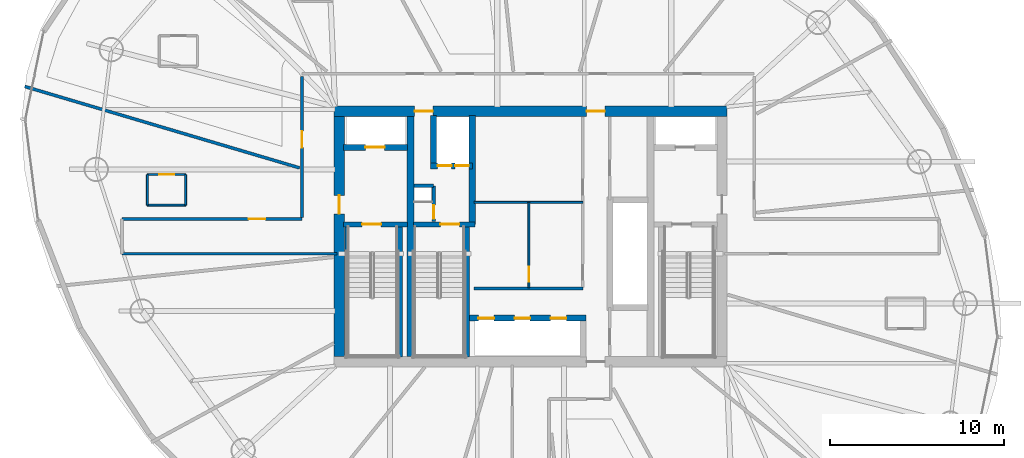
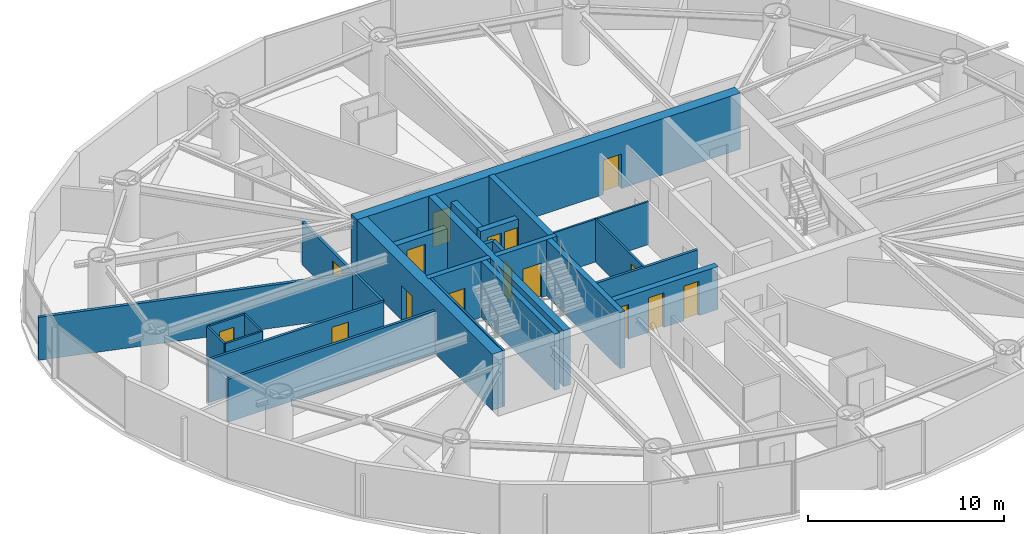
# One storey, part 20 of 26: 26 walls, 16 doors, 16 openings.
"""IFC4 building model written with IfcOpenShell, lengths in metres."""

from ifc_helpers import new_model, si_unit, direction, frame, frame_2d, origin, place, context, subcontext, project, spatial, rectangle, extrude, material, layer, layer_set, type_object, element, fill, save


model = new_model("IFC4")

# Units and contexts
model_context = context("Model", 3, precision=1e-05, world=origin(), true_north=direction((0.0, 1.0)))
body_context = subcontext(model_context, "Body", "Model", "MODEL_VIEW")
ifc_project = project(units=[si_unit("LENGTHUNIT", "METRE"), si_unit("AREAUNIT", "SQUARE_METRE"), si_unit("VOLUMEUNIT", "CUBIC_METRE"), si_unit("PLANEANGLEUNIT", "RADIAN"), si_unit("MASSUNIT", "GRAM", prefix="KILO")], contexts=[model_context])

# Site, building, storey
site_placement = place(None, origin())
site = spatial("IfcSite", under=ifc_project, at=site_placement, CompositionType="ELEMENT")
building_placement = place(site_placement, origin())
building = spatial("IfcBuilding", under=site, at=building_placement, Name="Bramvorn Convention Spire", CompositionType="ELEMENT")
storey_placement = place(building_placement, frame((0.0, 0.0, 123.800048828125)))
storey = spatial("IfcBuildingStorey", under=building, at=storey_placement, Name="L30", CompositionType="ELEMENT", Elevation=123.800048828125)

# Wall, openings, doors
ifc_material_1 = material(Name="Concrete C60/70", Category="concrete")
ifc_layer_1 = layer(ifc_material_1, 0.60009765625)
ifc_layer_set_1 = layer_set([ifc_layer_1], Name="Concrete C60/70 - WL-CORE-600")
wall_type_1 = type_object("IfcWallType", Name="WL-CORE-600", PredefinedType="SHEAR", material=ifc_layer_set_1)
wall_1_placement = place(storey_placement, frame((26.699951171875, 33.199951171875, 0.0), z_axis=(0.0, 0.0, 1.0), x_axis=(1.0, 0.0, 0.0)))
wall_1 = element("IfcWall", 1, at=wall_1_placement, inside=storey, type_object=wall_type_1, Name="L30 North RC core shear wall", PredefinedType="SHEAR", context=body_context, shape_type="SweptSolid", body=[
    extrude(rectangle(XDim=22.60009765625, YDim=0.60009765625, at=frame_2d((11.300048828125, 0.0))), origin(), (0.0, 0.0, 1.0), 3.5),
])
opening_1_placement = place(wall_1_placement, frame((4.6201171875, 0.0, 0.0)))
opening_1 = element("IfcOpeningElement", 2, at=opening_1_placement, cuts=wall_1, Name="Opening DL-105", PredefinedType="OPENING", context=body_context, shape_type="SweptSolid", body=[
    extrude(rectangle(XDim=1.050048828125, YDim=2.14990234375, at=frame_2d((0.52490234375, 1.074951171875))), frame((0.0, 0.31005859375, 0.0), z_axis=(0.0, -1.0, 0.0), x_axis=(1.0, 0.0, 0.0)), (0.0, 0.0, 1.0), 0.6201171875),
])
opening_2_placement = place(wall_1_placement, frame((14.52001953125, 0.0, 0.0)))
opening_2 = element("IfcOpeningElement", 3, at=opening_2_placement, cuts=wall_1, Name="Opening DL-105", PredefinedType="OPENING", context=body_context, shape_type="SweptSolid", body=[
    extrude(rectangle(XDim=1.050048828125, YDim=2.14990234375, at=frame_2d((0.52490234375, 1.074951171875))), frame((0.0, 0.31005859375, 0.0), z_axis=(0.0, -1.0, 0.0), x_axis=(1.0, 0.0, 0.0)), (0.0, 0.0, 1.0), 0.6201171875),
])
ifc_material_2 = material(Name="Smoke-Sealed Fire Lobby Timber-Core Door", Category="wood")
door_type_1 = type_object("IfcDoorType", Name="DR-LOBBY-1050", OperationType="NOTDEFINED", PredefinedType="DOOR", material=ifc_material_2)
door_1_placement = place(opening_1_placement, origin())
door_1 = element("IfcDoor", 4, at=door_1_placement, inside=storey, type_object=door_type_1, Name="L30 Service & Stair ST3 Lobby north corridor door", OperationType="SINGLE_SWING_LEFT", OverallHeight=2.14990234375, OverallWidth=1.050048828125, PredefinedType="DOOR", context=body_context, shape_type="SweptSolid", body=[
    extrude(rectangle(XDim=1.050048828125, YDim=2.14990234375, at=frame_2d((0.52490234375, 1.074951171875))), frame((0.0, 0.02490234375, 0.0), z_axis=(0.0, -1.0, 0.0), x_axis=(1.0, 0.0, 0.0)), (0.0, 0.0, 1.0), 0.050048828125),
])
fill(opening_1, door_1)
door_2_placement = place(opening_2_placement, origin())
door_2 = element("IfcDoor", 5, at=door_2_placement, inside=storey, type_object=door_type_1, Name="L30 North Lift Lobby fire door", OperationType="SINGLE_SWING_LEFT", OverallHeight=2.14990234375, OverallWidth=1.050048828125, PredefinedType="DOOR", context=body_context, shape_type="SweptSolid", body=[
    extrude(rectangle(XDim=1.050048828125, YDim=2.14990234375, at=frame_2d((0.52490234375, 1.074951171875))), frame((0.0, 0.02490234375, 0.0), z_axis=(0.0, -1.0, 0.0), x_axis=(1.0, 0.0, 0.0)), (0.0, 0.0, 1.0), 0.050048828125),
])
fill(opening_2, door_2)

# Wall, opening, door
wall_2_placement = place(storey_placement, frame((27.0, 19.10009765625, 0.0), z_axis=(0.0, 0.0, 1.0), x_axis=(0.0, 1.0, 0.0)))
wall_2 = element("IfcWall", 6, at=wall_2_placement, inside=storey, type_object=wall_type_1, Name="L30 West RC core shear wall", PredefinedType="SHEAR", context=body_context, shape_type="SweptSolid", body=[
    extrude(rectangle(XDim=13.7998046875, YDim=0.60009765625, at=frame_2d((6.89990234375, 0.0))), origin(), (0.0, 0.0, 1.0), 3.5),
])
opening_3_placement = place(wall_2_placement, frame((8.199951171875, 0.0, 0.0)))
opening_3 = element("IfcOpeningElement", 7, at=opening_3_placement, cuts=wall_2, Name="Opening DL-105", PredefinedType="OPENING", context=body_context, shape_type="SweptSolid", body=[
    extrude(rectangle(XDim=1.050048828125, YDim=2.14990234375, at=frame_2d((0.52490234375, 1.074951171875))), frame((0.0, 0.31005859375, 0.0), z_axis=(0.0, -1.0, 0.0), x_axis=(1.0, 0.0, 0.0)), (0.0, 0.0, 1.0), 0.6201171875),
])
door_3_placement = place(opening_3_placement, origin())
door_3 = element("IfcDoor", 8, at=door_3_placement, inside=storey, type_object=door_type_1, Name="L30 West Firefighting Lobby corridor door", OperationType="SINGLE_SWING_RIGHT", OverallHeight=2.14990234375, OverallWidth=1.050048828125, PredefinedType="DOOR", context=body_context, shape_type="SweptSolid", body=[
    extrude(rectangle(XDim=1.050048828125, YDim=2.14990234375, at=frame_2d((0.52490234375, 1.074951171875))), frame((0.0, 0.02490234375, 0.0), z_axis=(0.0, -1.0, 0.0), x_axis=(1.0, 0.0, 0.0)), (0.0, 0.0, 1.0), 0.050048828125),
])
fill(opening_3, door_3)

ifc_material_3 = material(Name="Concrete C50/60", Category="concrete")
ifc_layer_2 = layer(ifc_material_3, 0.35009765625)
ifc_layer_set_2 = layer_set([ifc_layer_2], Name="Concrete C50/60 - WL-CORE-INT-350")
wall_type_2 = type_object("IfcWallType", Name="WL-CORE-INT-350", PredefinedType="SHEAR", material=ifc_layer_set_2)
wall_3_placement = place(storey_placement, frame((27.25, 31.1201171875, 0.0), z_axis=(0.0, 0.0, 1.0), x_axis=(1.0, 0.0, 0.0)))
wall_3 = element("IfcWall", 9, at=wall_3_placement, inside=storey, type_object=wall_type_2, Name="L30 FE1 shaft front wall", PredefinedType="SHEAR", context=body_context, shape_type="SweptSolid", body=[
    extrude(rectangle(XDim=3.669921875, YDim=0.35009765625, at=frame_2d((1.8349609375, 0.0))), origin(), (0.0, 0.0, 1.0), 2.675048828125),
])
opening_4_placement = place(wall_3_placement, frame((1.25, 0.0, 0.0)))
opening_4 = element("IfcOpeningElement", 10, at=opening_4_placement, cuts=wall_3, Name="Opening LD-110", PredefinedType="OPENING", context=body_context, shape_type="SweptSolid", body=[
    extrude(rectangle(XDim=1.10009765625, YDim=2.14990234375, at=frame_2d((0.550048828125, 1.074951171875))), frame((0.0, 0.18505859375, 0.0), z_axis=(0.0, -1.0, 0.0), x_axis=(1.0, 0.0, 0.0)), (0.0, 0.0, 1.0), 0.3701171875),
])
ifc_material_4 = material(Name="Firefighting & Service Lift Sliding Landing Door", Category="steel")
door_type_2 = type_object("IfcDoorType", Name="DR-LIFT-LD-1100", OperationType="NOTDEFINED", PredefinedType="DOOR", material=ifc_material_4)
door_4_placement = place(opening_4_placement, origin())
door_4 = element("IfcDoor", 11, at=door_4_placement, inside=storey, type_object=door_type_2, Name="L30 Lift FE1 Sliding Landing Door", OperationType="SLIDING_TO_LEFT", OverallHeight=2.14990234375, OverallWidth=1.10009765625, PredefinedType="DOOR", context=body_context, shape_type="SweptSolid", body=[
    extrude(rectangle(XDim=1.10009765625, YDim=2.14990234375, at=frame_2d((0.550048828125, 1.074951171875))), frame((0.0, 0.02490234375, 0.0), z_axis=(0.0, -1.0, 0.0), x_axis=(1.0, 0.0, 0.0)), (0.0, 0.0, 1.0), 0.050048828125),
])
fill(opening_4, door_4)

# Wall
wall_4_placement = place(storey_placement, frame((34.639892578125, 26.68994140625, 0.0), z_axis=(0.0, 0.0, 1.0), x_axis=(0.0, 1.0, 0.0)))
element("IfcWall", 12, at=wall_4_placement, inside=storey, type_object=wall_type_2, Name="L30 SV east core shaft wall", PredefinedType="SHEAR", context=body_context, shape_type="SweptSolid", body=[
    extrude(rectangle(XDim=6.260009765625, YDim=0.35009765625, at=frame_2d((3.1298828125, 0.0))), origin(), (0.0, 0.0, 1.0), 3.5),
])

# Wall, openings, doors
wall_5_placement = place(storey_placement, frame((32.22998046875, 30.050048828125, 0.0), z_axis=(0.0, 0.0, 1.0), x_axis=(1.0, 0.0, 0.0)))
wall_5 = element("IfcWall", 13, at=wall_5_placement, inside=storey, type_object=wall_type_2, Name="L30 SV1/SV2 shaft front wall", PredefinedType="SHEAR", context=body_context, shape_type="SweptSolid", body=[
    extrude(rectangle(XDim=2.409912109375, YDim=0.35009765625, at=frame_2d((1.205078125, 0.0))), origin(), (0.0, 0.0, 1.0), 2.675048828125),
])
opening_5_placement = place(wall_5_placement, frame((0.419921875, 0.0, 0.0)))
opening_5 = element("IfcOpeningElement", 14, at=opening_5_placement, cuts=wall_5, Name="Opening LD-080", PredefinedType="OPENING", context=body_context, shape_type="SweptSolid", body=[
    extrude(rectangle(XDim=0.800048828125, YDim=2.14990234375, at=frame_2d((0.39990234375, 1.074951171875))), frame((0.0, 0.18505859375, 0.0), z_axis=(0.0, -1.0, 0.0), x_axis=(1.0, 0.0, 0.0)), (0.0, 0.0, 1.0), 0.3701171875),
])
opening_6_placement = place(wall_5_placement, frame((1.419921875, 0.0, 0.0)))
opening_6 = element("IfcOpeningElement", 15, at=opening_6_placement, cuts=wall_5, Name="Opening LD-080", PredefinedType="OPENING", context=body_context, shape_type="SweptSolid", body=[
    extrude(rectangle(XDim=0.800048828125, YDim=2.14990234375, at=frame_2d((0.39990234375, 1.074951171875))), frame((0.0, 0.18505859375, 0.0), z_axis=(0.0, -1.0, 0.0), x_axis=(1.0, 0.0, 0.0)), (0.0, 0.0, 1.0), 0.3701171875),
])
ifc_material_5 = material(Name="Service Lift Bi-Parting Landing Door", Category="steel")
door_type_3 = type_object("IfcDoorType", Name="DR-LIFT-LD-800", OperationType="NOTDEFINED", PredefinedType="DOOR", material=ifc_material_5)
door_5_placement = place(opening_5_placement, origin())
door_5 = element("IfcDoor", 16, at=door_5_placement, inside=storey, type_object=door_type_3, Name="L30 Lift SV1 Sliding Landing Door", OperationType="SLIDING_TO_LEFT", OverallHeight=2.14990234375, OverallWidth=0.800048828125, PredefinedType="DOOR", context=body_context, shape_type="SweptSolid", body=[
    extrude(rectangle(XDim=0.800048828125, YDim=2.14990234375, at=frame_2d((0.39990234375, 1.074951171875))), frame((0.0, 0.02490234375, 0.0), z_axis=(0.0, -1.0, 0.0), x_axis=(1.0, 0.0, 0.0)), (0.0, 0.0, 1.0), 0.050048828125),
])
fill(opening_5, door_5)
door_6_placement = place(opening_6_placement, origin())
door_6 = element("IfcDoor", 17, at=door_6_placement, inside=storey, type_object=door_type_3, Name="L30 Lift SV2 Sliding Landing Door", OperationType="SLIDING_TO_LEFT", OverallHeight=2.14990234375, OverallWidth=0.800048828125, PredefinedType="DOOR", context=body_context, shape_type="SweptSolid", body=[
    extrude(rectangle(XDim=0.800048828125, YDim=2.14990234375, at=frame_2d((0.39990234375, 1.074951171875))), frame((0.0, 0.02490234375, 0.0), z_axis=(0.0, -1.0, 0.0), x_axis=(1.0, 0.0, 0.0)), (0.0, 0.0, 1.0), 0.050048828125),
])
fill(opening_6, door_6)

# Wall
wall_6_placement = place(storey_placement, frame((32.39990234375, 30.219970703125, 0.0), z_axis=(0.0, 0.0, 1.0), x_axis=(0.0, 1.0, 0.0)))
element("IfcWall", 18, at=wall_6_placement, inside=storey, type_object=wall_type_2, Name="L30 SV1 west hoistway wall", PredefinedType="SHEAR", context=body_context, shape_type="SweptSolid", body=[
    extrude(rectangle(XDim=2.72998046875, YDim=0.35009765625, at=frame_2d((1.364990234375, 0.0))), origin(), (0.0, 0.0, 1.0), 2.675048828125),
])

# Wall, openings, doors
wall_7_placement = place(storey_placement, frame((34.489990234375, 21.300048828125, 0.0), z_axis=(0.0, 0.0, 1.0), x_axis=(1.0, 0.0, 0.0)))
wall_7 = element("IfcWall", 19, at=wall_7_placement, inside=storey, type_object=wall_type_2, Name="L30 Mid-rise bank north landing wall", PredefinedType="SHEAR", context=body_context, shape_type="SweptSolid", body=[
    extrude(rectangle(XDim=6.679931640625, YDim=0.35009765625, at=frame_2d((3.33984375, 0.0))), origin(), (0.0, 0.0, 1.0), 2.675048828125),
])
opening_7_placement = place(wall_7_placement, frame((0.5, 0.0, 0.0)))
opening_7 = element("IfcOpeningElement", 20, at=opening_7_placement, cuts=wall_7, Name="Opening LD-090", PredefinedType="OPENING", context=body_context, shape_type="SweptSolid", body=[
    extrude(rectangle(XDim=0.89990234375, YDim=2.14990234375, at=frame_2d((0.449951171875, 1.074951171875))), frame((0.0, 0.18505859375, 0.0), z_axis=(0.0, -1.0, 0.0), x_axis=(1.0, 0.0, 0.0)), (0.0, 0.0, 1.0), 0.3701171875),
])
opening_8_placement = place(wall_7_placement, frame((2.580078125, 0.0, 0.0)))
opening_8 = element("IfcOpeningElement", 21, at=opening_8_placement, cuts=wall_7, Name="Opening LD-090", PredefinedType="OPENING", context=body_context, shape_type="SweptSolid", body=[
    extrude(rectangle(XDim=0.89990234375, YDim=2.14990234375, at=frame_2d((0.449951171875, 1.074951171875))), frame((0.0, 0.18505859375, 0.0), z_axis=(0.0, -1.0, 0.0), x_axis=(1.0, 0.0, 0.0)), (0.0, 0.0, 1.0), 0.3701171875),
])
opening_9_placement = place(wall_7_placement, frame((4.659912109375, 0.0, 0.0)))
opening_9 = element("IfcOpeningElement", 22, at=opening_9_placement, cuts=wall_7, Name="Opening LD-090", PredefinedType="OPENING", context=body_context, shape_type="SweptSolid", body=[
    extrude(rectangle(XDim=0.89990234375, YDim=2.14990234375, at=frame_2d((0.449951171875, 1.074951171875))), frame((0.0, 0.18505859375, 0.0), z_axis=(0.0, -1.0, 0.0), x_axis=(1.0, 0.0, 0.0)), (0.0, 0.0, 1.0), 0.3701171875),
])
ifc_material_6 = material(Name="Bi-Parting Fire-Rated Lift Landing Door", Category="steel")
door_type_4 = type_object("IfcDoorType", Name="DR-LIFT-LD-900", OperationType="NOTDEFINED", PredefinedType="DOOR", material=ifc_material_6)
door_7_placement = place(opening_7_placement, origin())
door_7 = element("IfcDoor", 23, at=door_7_placement, inside=storey, type_object=door_type_4, Name="L30 Lift PM1 Sliding Landing Door", OperationType="SLIDING_TO_LEFT", OverallHeight=2.14990234375, OverallWidth=0.89990234375, PredefinedType="DOOR", context=body_context, shape_type="SweptSolid", body=[
    extrude(rectangle(XDim=0.89990234375, YDim=2.14990234375, at=frame_2d((0.449951171875, 1.074951171875))), frame((0.0, 0.02490234375, 0.0), z_axis=(0.0, -1.0, 0.0), x_axis=(1.0, 0.0, 0.0)), (0.0, 0.0, 1.0), 0.050048828125),
])
fill(opening_7, door_7)
door_8_placement = place(opening_8_placement, origin())
door_8 = element("IfcDoor", 24, at=door_8_placement, inside=storey, type_object=door_type_4, Name="L30 Lift PM2 Sliding Landing Door", OperationType="SLIDING_TO_LEFT", OverallHeight=2.14990234375, OverallWidth=0.89990234375, PredefinedType="DOOR", context=body_context, shape_type="SweptSolid", body=[
    extrude(rectangle(XDim=0.89990234375, YDim=2.14990234375, at=frame_2d((0.449951171875, 1.074951171875))), frame((0.0, 0.02490234375, 0.0), z_axis=(0.0, -1.0, 0.0), x_axis=(1.0, 0.0, 0.0)), (0.0, 0.0, 1.0), 0.050048828125),
])
fill(opening_8, door_8)
door_9_placement = place(opening_9_placement, origin())
door_9 = element("IfcDoor", 25, at=door_9_placement, inside=storey, type_object=door_type_4, Name="L30 Lift PM3 Sliding Landing Door", OperationType="SLIDING_TO_LEFT", OverallHeight=2.14990234375, OverallWidth=0.89990234375, PredefinedType="DOOR", context=body_context, shape_type="SweptSolid", body=[
    extrude(rectangle(XDim=0.89990234375, YDim=2.14990234375, at=frame_2d((0.449951171875, 1.074951171875))), frame((0.0, 0.02490234375, 0.0), z_axis=(0.0, -1.0, 0.0), x_axis=(1.0, 0.0, 0.0)), (0.0, 0.0, 1.0), 0.050048828125),
])
fill(opening_9, door_9)

# Walls
ifc_layer_3 = layer(ifc_material_1, 0.39990234375)
ifc_layer_set_3 = layer_set([ifc_layer_3], Name="Concrete C60/70 - WL-CORE-INT-400")
wall_type_3 = type_object("IfcWallType", Name="WL-CORE-INT-400", PredefinedType="SHEAR", material=ifc_layer_set_3)
wall_8_placement = place(storey_placement, frame((31.10009765625, 19.10009765625, 0.0), z_axis=(0.0, 0.0, 1.0), x_axis=(0.0, 1.0, 0.0)))
element("IfcWall", 26, at=wall_8_placement, inside=storey, type_object=wall_type_3, Name="L30 West internal core shear web", PredefinedType="SHEAR", context=body_context, shape_type="SweptSolid", body=[
    extrude(rectangle(XDim=13.7998046875, YDim=0.39990234375, at=frame_2d((6.89990234375, 0.0))), origin(), (0.0, 0.0, 1.0), 3.5),
])
ifc_material_7 = material(Name="Lightweight En-Suite & Wet-Wall Partition", Category="gypsum")
ifc_layer_4 = layer(ifc_material_7, 0.110107421875)
ifc_layer_set_4 = layer_set([ifc_layer_4], Name="Lightweight En-Suite & Wet-Wall Partition - WL-PART-110")
wall_type_4 = type_object("IfcWallType", Name="WL-PART-110", PredefinedType="PARTITIONING", material=ifc_layer_set_4)
wall_9_placement = place(storey_placement, frame((34.75, 27.949951171875, 0.0), z_axis=(0.0, 0.0, 1.0), x_axis=(1.0, 0.0, 0.0)))
element("IfcWall", 27, at=wall_9_placement, inside=storey, type_object=wall_type_4, Name="L30 KA horizontal core divider", PredefinedType="PARTITIONING", context=body_context, shape_type="SweptSolid", body=[
    extrude(rectangle(XDim=6.25, YDim=0.110107421875, at=frame_2d((3.125, 0.0))), origin(), (0.0, 0.0, 1.0), 2.675048828125),
])

# Wall, opening, door
wall_10_placement = place(storey_placement, frame((37.89990234375, 23.050048828125, 0.0), z_axis=(0.0, 0.0, 1.0), x_axis=(0.0, 1.0, 0.0)))
wall_10 = element("IfcWall", 28, at=wall_10_placement, inside=storey, type_object=wall_type_4, Name="L30 KA restroom subwall", PredefinedType="PARTITIONING", context=body_context, shape_type="SweptSolid", body=[
    extrude(rectangle(XDim=4.89990234375, YDim=0.110107421875, at=frame_2d((2.449951171875, 0.0))), origin(), (0.0, 0.0, 1.0), 2.675048828125),
])
opening_10_placement = place(wall_10_placement, frame((0.35009765625, 0.0, 0.0)))
opening_10 = element("IfcOpeningElement", 29, at=opening_10_placement, cuts=wall_10, Name="Opening DC-085", PredefinedType="OPENING", context=body_context, shape_type="SweptSolid", body=[
    extrude(rectangle(XDim=0.85009765625, YDim=2.10009765625, at=frame_2d((0.425048828125, 1.050048828125))), frame((0.0, 0.06494140625, 0.0), z_axis=(0.0, -1.0, 0.0), x_axis=(1.0, 0.0, 0.0)), (0.0, 0.0, 1.0), 0.130126953125),
])
ifc_material_8 = material(Name="Fire-Rated Core Washroom & IDF Door", Category="wood")
door_type_5 = type_object("IfcDoorType", Name="DR-CORE-850", OperationType="NOTDEFINED", PredefinedType="DOOR", material=ifc_material_8)
door_10_placement = place(opening_10_placement, origin())
door_10 = element("IfcDoor", 30, at=door_10_placement, inside=storey, type_object=door_type_5, Name="L30 Core IT Closet door", OperationType="SINGLE_SWING_LEFT", OverallHeight=2.10009765625, OverallWidth=0.85009765625, PredefinedType="DOOR", context=body_context, shape_type="SweptSolid", body=[
    extrude(rectangle(XDim=0.85009765625, YDim=2.10009765625, at=frame_2d((0.425048828125, 1.050048828125))), frame((0.0, 0.02490234375, 0.0), z_axis=(0.0, -1.0, 0.0), x_axis=(1.0, 0.0, 0.0)), (0.0, 0.0, 1.0), 0.050048828125),
])
fill(opening_10, door_10)

# Wall
wall_11_placement = place(storey_placement, frame((15.962646484375, 27.79736328125, 0.0), z_axis=(0.0, 0.0, 1.0), x_axis=(1.0, 0.0, 0.0)))
element("IfcWall", 31, at=wall_11_placement, inside=storey, type_object=wall_type_4, Name="Hotel Suite 3008 en-suite south wall", PredefinedType="PARTITIONING", context=body_context, shape_type="SweptSolid", body=[
    extrude(rectangle(XDim=2.199951171875, YDim=0.110107421875, at=frame_2d((1.10009765625, 0.0))), origin(), (0.0, 0.0, 1.0), 2.675048828125),
])

# Wall, opening, door
wall_12_placement = place(storey_placement, frame((15.962646484375, 29.557373046875, 0.0), z_axis=(0.0, 0.0, 1.0), x_axis=(1.0, 0.0, 0.0)))
wall_12 = element("IfcWall", 32, at=wall_12_placement, inside=storey, type_object=wall_type_4, Name="Hotel Suite 3008 en-suite north wall", PredefinedType="PARTITIONING", context=body_context, shape_type="SweptSolid", body=[
    extrude(rectangle(XDim=2.199951171875, YDim=0.110107421875, at=frame_2d((1.10009765625, 0.0))), origin(), (0.0, 0.0, 1.0), 2.675048828125),
])
opening_11_placement = place(wall_12_placement, frame((0.679931640625, 0.0, 0.0)))
opening_11 = element("IfcOpeningElement", 33, at=opening_11_placement, cuts=wall_12, Name="Opening DI-085", PredefinedType="OPENING", context=body_context, shape_type="SweptSolid", body=[
    extrude(rectangle(XDim=0.85009765625, YDim=2.10009765625, at=frame_2d((0.425048828125, 1.050048828125))), frame((0.0, 0.06494140625, 0.0), z_axis=(0.0, -1.0, 0.0), x_axis=(1.0, 0.0, 0.0)), (0.0, 0.0, 1.0), 0.130126953125),
])
ifc_material_9 = material(Name="En-Suite & Restroom Privacy Door", Category="wood")
door_type_6 = type_object("IfcDoorType", Name="DR-INT-850", OperationType="NOTDEFINED", PredefinedType="DOOR", material=ifc_material_9)
door_11_placement = place(opening_11_placement, origin())
door_11 = element("IfcDoor", 34, at=door_11_placement, inside=storey, type_object=door_type_6, Name="Hotel Suite 3008 En-Suite Bathroom door", OperationType="SINGLE_SWING_LEFT", OverallHeight=2.10009765625, OverallWidth=0.85009765625, PredefinedType="DOOR", context=body_context, shape_type="SweptSolid", body=[
    extrude(rectangle(XDim=0.85009765625, YDim=2.10009765625, at=frame_2d((0.425048828125, 1.050048828125))), frame((0.0, 0.02490234375, 0.0), z_axis=(0.0, -1.0, 0.0), x_axis=(1.0, 0.0, 0.0)), (0.0, 0.0, 1.0), 0.050048828125),
])
fill(opening_11, door_11)

# Walls
for number, where, z_axis, x_axis, name in (
    (35, (15.962646484375, 27.79736328125, 0.0), (0.0, 0.0, 1.0), (0.0, 1.0, 0.0), "Hotel Suite 3008 en-suite west wall"),
    (36, (18.16259765625, 27.79736328125, 0.0), (0.0, 0.0, 1.0), (0.0, 1.0, 0.0), "Hotel Suite 3008 en-suite east wall"),
):
    element("IfcWall", number, at=place(storey_placement, frame(where, z_axis=z_axis, x_axis=x_axis)), inside=storey, type_object=wall_type_4, Name=name, PredefinedType="PARTITIONING", context=body_context, shape_type="SweptSolid", body=[
        extrude(rectangle(XDim=1.760009765625, YDim=0.110107421875, at=frame_2d((0.8798828125, 0.0))), origin(), (0.0, 0.0, 1.0), 2.675048828125),
    ])
ifc_material_10 = material(Name="Acoustic Metal-Stud Tenant/Corridor Partition", Category="gypsum")
ifc_layer_5 = layer(ifc_material_10, 0.14990234375)
ifc_layer_set_5 = layer_set([ifc_layer_5], Name="Acoustic Metal-Stud Tenant/Corridor Partition - WL-PART-150")
wall_type_5 = type_object("IfcWallType", Name="WL-PART-150", PredefinedType="PARTITIONING", material=ifc_layer_set_5)
wall_13_placement = place(storey_placement, frame((34.75, 23.0, 0.0), z_axis=(0.0, 0.0, 1.0), x_axis=(1.0, 0.0, 0.0)))
element("IfcWall", 37, at=wall_13_placement, inside=storey, type_object=wall_type_5, Name="L30 Mid-rise lift vestibule north wall", PredefinedType="PARTITIONING", context=body_context, shape_type="SweptSolid", body=[
    extrude(rectangle(XDim=6.25, YDim=0.14990234375, at=frame_2d((3.125, 0.0))), origin(), (0.0, 0.0, 1.0), 2.675048828125),
])

# Wall, opening, door
wall_14_placement = place(storey_placement, frame((24.85009765625, 27.080078125, 0.0), z_axis=(0.0, 0.0, 1.0), x_axis=(0.0, 1.0, 0.0)))
wall_14 = element("IfcWall", 38, at=wall_14_placement, inside=storey, type_object=wall_type_5, Name="L30 NW gallery cheek", PredefinedType="PARTITIONING", context=body_context, shape_type="SweptSolid", body=[
    extrude(rectangle(XDim=8.119873046875, YDim=0.14990234375, at=frame_2d((4.06005859375, 0.0))), origin(), (0.0, 0.0, 1.0), 2.675048828125),
])
opening_12_placement = place(wall_14_placement, frame((4.02734375, 0.0, 0.0)))
opening_12 = element("IfcOpeningElement", 39, at=opening_12_placement, cuts=wall_14, Name="Opening DH-095", PredefinedType="OPENING", context=body_context, shape_type="SweptSolid", body=[
    extrude(rectangle(XDim=0.949951171875, YDim=2.14990234375, at=frame_2d((0.47509765625, 1.074951171875))), frame((0.0, 0.0849609375, 0.0), z_axis=(0.0, -1.0, 0.0), x_axis=(1.0, 0.0, 0.0)), (0.0, 0.0, 1.0), 0.169921875),
])
ifc_material_11 = material(Name="Solid-Core Acoustic Guestroom Entry Door", Category="wood")
door_type_7 = type_object("IfcDoorType", Name="DR-HOTEL-950", OperationType="NOTDEFINED", PredefinedType="DOOR", material=ifc_material_11)
door_12_placement = place(opening_12_placement, origin())
door_12 = element("IfcDoor", 40, at=door_12_placement, inside=storey, type_object=door_type_7, Name="Hotel Suite 3007 entry door", OperationType="SINGLE_SWING_LEFT", OverallHeight=2.14990234375, OverallWidth=0.949951171875, PredefinedType="DOOR", context=body_context, shape_type="SweptSolid", body=[
    extrude(rectangle(XDim=0.949951171875, YDim=2.14990234375, at=frame_2d((0.47509765625, 1.074951171875))), frame((0.0, 0.02490234375, 0.0), z_axis=(0.0, -1.0, 0.0), x_axis=(1.0, 0.0, 0.0)), (0.0, 0.0, 1.0), 0.050048828125),
])
fill(opening_12, door_12)

wall_15_placement = place(storey_placement, frame((14.5, 27.0, 0.0), z_axis=(0.0, 0.0, 1.0), x_axis=(1.0, 0.0, 0.0)))
wall_15 = element("IfcWall", 41, at=wall_15_placement, inside=storey, type_object=wall_type_5, Name="L30 West wing spine north wall", PredefinedType="PARTITIONING", context=body_context, shape_type="SweptSolid", body=[
    extrude(rectangle(XDim=10.35009765625, YDim=0.14990234375, at=frame_2d((5.175048828125, 0.0))), origin(), (0.0, 0.0, 1.0), 2.675048828125),
])
opening_13_placement = place(wall_15_placement, frame((7.28759765625, 0.0, 0.0)))
opening_13 = element("IfcOpeningElement", 42, at=opening_13_placement, cuts=wall_15, Name="Opening DH-095", PredefinedType="OPENING", context=body_context, shape_type="SweptSolid", body=[
    extrude(rectangle(XDim=0.949951171875, YDim=2.14990234375, at=frame_2d((0.47509765625, 1.074951171875))), frame((0.0, 0.0849609375, 0.0), z_axis=(0.0, -1.0, 0.0), x_axis=(1.0, 0.0, 0.0)), (0.0, 0.0, 1.0), 0.169921875),
])
door_13_placement = place(opening_13_placement, origin())
door_13 = element("IfcDoor", 43, at=door_13_placement, inside=storey, type_object=door_type_7, Name="Hotel Suite 3008 entry door", OperationType="SINGLE_SWING_RIGHT", OverallHeight=2.14990234375, OverallWidth=0.949951171875, PredefinedType="DOOR", context=body_context, shape_type="SweptSolid", body=[
    extrude(rectangle(XDim=0.949951171875, YDim=2.14990234375, at=frame_2d((0.47509765625, 1.074951171875))), frame((0.0, 0.02490234375, 0.0), z_axis=(0.0, -1.0, 0.0), x_axis=(1.0, 0.0, 0.0)), (0.0, 0.0, 1.0), 0.050048828125),
])
fill(opening_13, door_13)

# Walls
wall_16_placement = place(storey_placement, frame((14.5, 25.0, 0.0), z_axis=(0.0, 0.0, 1.0), x_axis=(1.0, 0.0, 0.0)))
element("IfcWall", 44, at=wall_16_placement, inside=storey, type_object=wall_type_5, Name="L30 West wing spine south wall", PredefinedType="PARTITIONING", context=body_context, shape_type="SweptSolid", body=[
    extrude(rectangle(XDim=12.35009765625, YDim=0.14990234375, at=frame_2d((6.175048828125, 0.0))), origin(), (0.0, 0.0, 1.0), 2.675048828125),
])
ifc_material_12 = material(Name="Double-Stud Acoustic Hotel/Suite Partition", Category="gypsum")
ifc_layer_6 = layer(ifc_material_12, 0.175048828125)
ifc_layer_set_6 = layer_set([ifc_layer_6], Name="Double-Stud Acoustic Hotel/Suite Partition - WL-PART-175")
wall_type_6 = type_object("IfcWallType", Name="WL-PART-175", PredefinedType="PARTITIONING", material=ifc_layer_set_6)
wall_17_placement = place(storey_placement, frame((24.7099609375, 29.936767578125, 0.0), z_axis=(0.0, 0.0, 1.0), x_axis=(-0.958822771046, 0.284005094539, 0.0)))
element("IfcWall", 45, at=wall_17_placement, inside=storey, type_object=wall_type_6, Name="L30 Guestroom demising wall 8", PredefinedType="PARTITIONING", context=body_context, shape_type="SweptSolid", body=[
    extrude(rectangle(XDim=16.478271484375, YDim=0.175048828125, at=frame_2d((8.2392578125, 0.0))), origin(), (0.0, 0.0, 1.0), 2.675048828125),
])

# Wall, opening, door
ifc_material_13 = material(Name="Gypsum Shaftwall & Rockwool Core Partition", Category="gypsum")
ifc_layer_7 = layer(ifc_material_13, 0.199951171875)
ifc_layer_set_7 = layer_set([ifc_layer_7], Name="Gypsum Shaftwall & Rockwool Core Partition - WL-PART-200-FR")
wall_type_7 = type_object("IfcWallType", Name="WL-PART-200-FR", PredefinedType="PARTITIONING", material=ifc_layer_set_7)
wall_18_placement = place(storey_placement, frame((32.419921875, 26.860107421875, 0.0), z_axis=(0.0, 0.0, 1.0), x_axis=(0.0, 1.0, 0.0)))
wall_18 = element("IfcWall", 46, at=wall_18_placement, inside=storey, type_object=wall_type_7, Name="L30 Telecom riser east wall", PredefinedType="PARTITIONING", context=body_context, shape_type="SweptSolid", body=[
    extrude(rectangle(XDim=2.039794921875, YDim=0.199951171875, at=frame_2d((1.02001953125, 0.0))), origin(), (0.0, 0.0, 1.0), 2.675048828125),
])
opening_14_placement = place(wall_18_placement, frame((0.139892578125, 0.0, 0.0)))
opening_14 = element("IfcOpeningElement", 47, at=opening_14_placement, cuts=wall_18, Name="Opening DR-080", PredefinedType="OPENING", context=body_context, shape_type="SweptSolid", body=[
    extrude(rectangle(XDim=0.800048828125, YDim=2.050048828125, at=frame_2d((0.39990234375, 1.02490234375))), frame((0.0, 0.10986328125, 0.0), z_axis=(0.0, -1.0, 0.0), x_axis=(1.0, 0.0, 0.0)), (0.0, 0.0, 1.0), 0.219970703125),
])
ifc_material_14 = material(Name="Flush Steel Riser Access Door", Category="steel")
door_type_8 = type_object("IfcDoorType", Name="DR-RISER-800", OperationType="NOTDEFINED", PredefinedType="DOOR", material=ifc_material_14)
door_14_placement = place(opening_14_placement, origin())
door_14 = element("IfcDoor", 48, at=door_14_placement, inside=storey, type_object=door_type_8, Name="L30 Telecom riser access door", OperationType="SINGLE_SWING_RIGHT", OverallHeight=2.050048828125, OverallWidth=0.800048828125, PredefinedType="DOOR", context=body_context, shape_type="SweptSolid", body=[
    extrude(rectangle(XDim=0.800048828125, YDim=2.050048828125, at=frame_2d((0.39990234375, 1.02490234375))), frame((0.0, 0.02490234375, 0.0), z_axis=(0.0, -1.0, 0.0), x_axis=(1.0, 0.0, 0.0)), (0.0, 0.0, 1.0), 0.050048828125),
])
fill(opening_14, door_14)

# Wall
wall_19_placement = place(storey_placement, frame((31.300048828125, 28.89990234375, 0.0), z_axis=(0.0, 0.0, 1.0), x_axis=(1.0, 0.0, 0.0)))
element("IfcWall", 49, at=wall_19_placement, inside=storey, type_object=wall_type_7, Name="L30 Telecom riser north wall", PredefinedType="PARTITIONING", context=body_context, shape_type="SweptSolid", body=[
    extrude(rectangle(XDim=1.119873046875, YDim=0.199951171875, at=frame_2d((0.56005859375, 0.0))), origin(), (0.0, 0.0, 1.0), 2.675048828125),
])

# Wall, opening, door
ifc_layer_8 = layer(ifc_material_3, 0.300048828125)
ifc_layer_set_8 = layer_set([ifc_layer_8], Name="Concrete C50/60 - WL-POD-STAIR-300")
wall_type_8 = type_object("IfcWallType", Name="WL-POD-STAIR-300", PredefinedType="SHEAR", material=ifc_layer_set_8)
wall_20_placement = place(storey_placement, frame((27.25, 26.68994140625, 0.0), z_axis=(0.0, 0.0, 1.0), x_axis=(1.0, 0.0, 0.0)))
wall_20 = element("IfcWall", 50, at=wall_20_placement, inside=storey, type_object=wall_type_8, Name="L30 ST1 north fire wall", PredefinedType="SHEAR", context=body_context, shape_type="SweptSolid", body=[
    extrude(rectangle(XDim=3.669921875, YDim=0.300048828125, at=frame_2d((1.8349609375, 0.0))), origin(), (0.0, 0.0, 1.0), 3.5),
])
opening_15_placement = place(wall_20_placement, frame((1.050048828125, 0.0, 0.0)))
opening_15 = element("IfcOpeningElement", 51, at=opening_15_placement, cuts=wall_20, Name="Opening DS-110", PredefinedType="OPENING", context=body_context, shape_type="SweptSolid", body=[
    extrude(rectangle(XDim=1.10009765625, YDim=2.14990234375, at=frame_2d((0.550048828125, 1.074951171875))), frame((0.0, 0.159912109375, 0.0), z_axis=(0.0, -1.0, 0.0), x_axis=(1.0, 0.0, 0.0)), (0.0, 0.0, 1.0), 0.320068359375),
])
ifc_material_15 = material(Name="Fire-Rated Hollow Steel Stairwell Door", Category="steel")
door_type_9 = type_object("IfcDoorType", Name="DR-STAIR-1100", OperationType="NOTDEFINED", PredefinedType="DOOR", material=ifc_material_15)
door_15_placement = place(opening_15_placement, origin())
door_15 = element("IfcDoor", 52, at=door_15_placement, inside=storey, type_object=door_type_9, Name="L30 Stair ST1 fire door", OperationType="SINGLE_SWING_LEFT", OverallHeight=2.14990234375, OverallWidth=1.10009765625, PredefinedType="DOOR", context=body_context, shape_type="SweptSolid", body=[
    extrude(rectangle(XDim=1.10009765625, YDim=2.14990234375, at=frame_2d((0.550048828125, 1.074951171875))), frame((0.0, 0.02490234375, 0.0), z_axis=(0.0, -1.0, 0.0), x_axis=(1.0, 0.0, 0.0)), (0.0, 0.0, 1.0), 0.050048828125),
])
fill(opening_15, door_15)

# Walls
for number, where, z_axis, x_axis, name in (
    (53, (30.489990234375, 19.050048828125, 0.0), (0.0, 0.0, 1.0), (0.0, 1.0, 0.0), "L30 ST1 east bearing wall"),
    (54, (34.340087890625, 19.050048828125, 0.0), (0.0, 0.0, 1.0), (0.0, 1.0, 0.0), "L30 ST3 east bearing wall"),
):
    element("IfcWall", number, at=place(storey_placement, frame(where, z_axis=z_axis, x_axis=x_axis)), inside=storey, type_object=wall_type_8, Name=name, PredefinedType="SHEAR", context=body_context, shape_type="SweptSolid", body=[
        extrude(rectangle(XDim=7.5, YDim=0.300048828125, at=frame_2d((3.75, 0.0))), origin(), (0.0, 0.0, 1.0), 3.5),
    ])

# Wall, opening, door
wall_21_placement = place(storey_placement, frame((31.25, 26.68994140625, 0.0), z_axis=(0.0, 0.0, 1.0), x_axis=(1.0, 0.0, 0.0)))
wall_21 = element("IfcWall", 55, at=wall_21_placement, inside=storey, type_object=wall_type_8, Name="L30 ST3 north lobby wall", PredefinedType="SHEAR", context=body_context, shape_type="SweptSolid", body=[
    extrude(rectangle(XDim=3.56005859375, YDim=0.300048828125, at=frame_2d((1.780029296875, 0.0))), origin(), (0.0, 0.0, 1.0), 3.5),
])
opening_16_placement = place(wall_21_placement, frame((1.550048828125, 0.0, 0.0)))
opening_16 = element("IfcOpeningElement", 56, at=opening_16_placement, cuts=wall_21, Name="Opening DS-110", PredefinedType="OPENING", context=body_context, shape_type="SweptSolid", body=[
    extrude(rectangle(XDim=1.10009765625, YDim=2.14990234375, at=frame_2d((0.550048828125, 1.074951171875))), frame((0.0, 0.159912109375, 0.0), z_axis=(0.0, -1.0, 0.0), x_axis=(1.0, 0.0, 0.0)), (0.0, 0.0, 1.0), 0.320068359375),
])
door_16_placement = place(opening_16_placement, origin())
door_16 = element("IfcDoor", 57, at=door_16_placement, inside=storey, type_object=door_type_9, Name="L30 Stair ST3 fire door", OperationType="SINGLE_SWING_LEFT", OverallHeight=2.14990234375, OverallWidth=1.10009765625, PredefinedType="DOOR", context=body_context, shape_type="SweptSolid", body=[
    extrude(rectangle(XDim=1.10009765625, YDim=2.14990234375, at=frame_2d((0.550048828125, 1.074951171875))), frame((0.0, 0.02490234375, 0.0), z_axis=(0.0, -1.0, 0.0), x_axis=(1.0, 0.0, 0.0)), (0.0, 0.0, 1.0), 0.050048828125),
])
fill(opening_16, door_16)

# Wall
ifc_layer_9 = layer(ifc_material_3, 0.1201171875)
ifc_layer_set_9 = layer_set([ifc_layer_9], Name="Concrete C50/60 - WL-STAIR-RC-120")
wall_type_9 = type_object("IfcWallType", Name="WL-STAIR-RC-120", PredefinedType="SHEAR", material=ifc_layer_set_9)
wall_22_placement = place(storey_placement, frame((27.39501953125, 19.10009765625, 0.0), z_axis=(0.0, 0.0, 1.0), x_axis=(0.0, 1.0, 0.0)))
element("IfcWall", 58, at=wall_22_placement, inside=storey, type_object=wall_type_9, Name="L30 ST1 west bearing shear wall", PredefinedType="SHEAR", context=body_context, shape_type="SweptSolid", body=[
    extrude(rectangle(XDim=7.449951171875, YDim=0.1201171875, at=frame_2d((3.72509765625, 0.0))), origin(), (0.0, 0.0, 1.0), 3.5),
])

save(model, "model.ifc")
